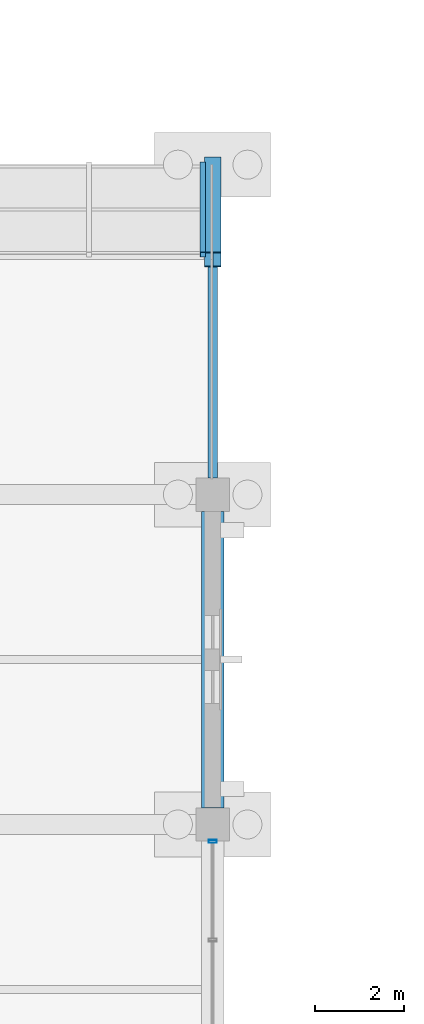
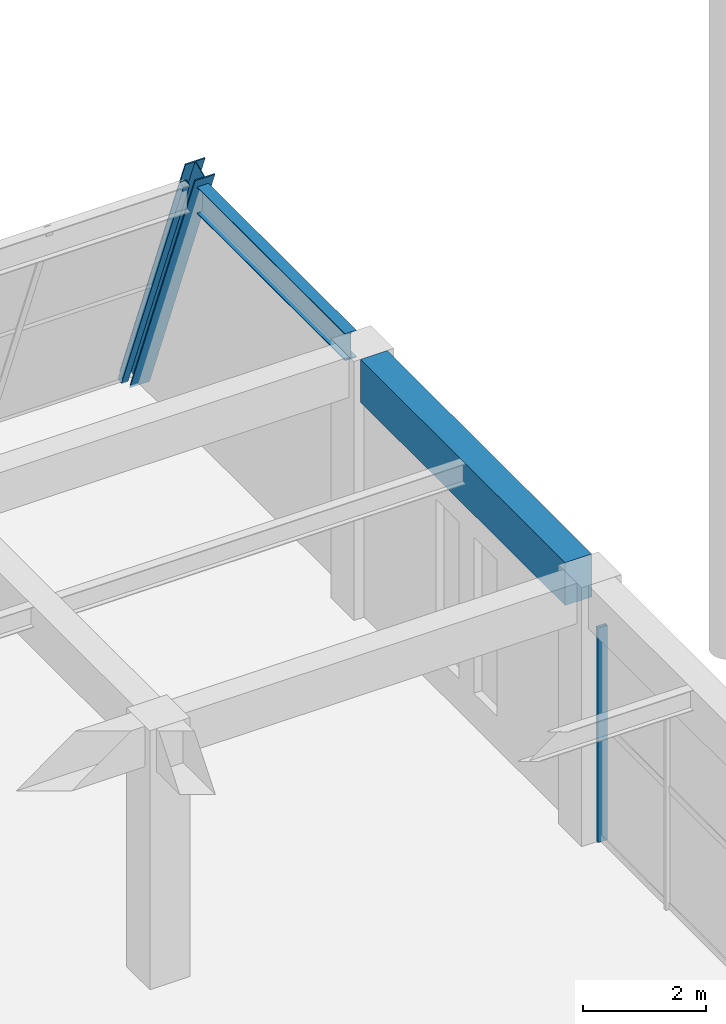
# One storey, part 58 of 140: 3 members, 2 beams, 2 elements without a shape of their own.
"""IFC4 building model written with IfcOpenShell, lengths in metres."""

from ifc_helpers import new_model, si_unit, direction, frame, origin, origin_2d, place, context, subcontext, project, spatial, rectangle, hollow_rectangle, i_section, extrude, material, material_profile, profile_set, type_object, element, aggregate, save


model = new_model("IFC4")

# Units and contexts
model_context = context("Model", 3, precision=1e-05, world=origin(), true_north=direction((0.0, 1.0)))
body_context = subcontext(model_context, "Body", "Model", "MODEL_VIEW")
ifc_project = project(units=[si_unit("LENGTHUNIT", "METRE"), si_unit("AREAUNIT", "SQUARE_METRE"), si_unit("VOLUMEUNIT", "CUBIC_METRE"), si_unit("PLANEANGLEUNIT", "RADIAN"), si_unit("MASSUNIT", "GRAM", prefix="KILO")], contexts=[model_context])

# Site, building, storey
site_placement = place(None, origin())
site = spatial("IfcSite", under=ifc_project, at=site_placement, CompositionType="ELEMENT")
building_placement = place(site_placement, origin())
building = spatial("IfcBuilding", under=site, at=building_placement, Name="Cimatlan Art Gallery", CompositionType="ELEMENT")
storey_placement = place(building_placement, origin())
storey = spatial("IfcBuildingStorey", under=building, at=storey_placement, Name="L00", CompositionType="ELEMENT", Elevation=0.0)

# Beams
ifc_material_1 = material(Name="Concrete C40/50", Category="concrete")
ifc_material_profile_1 = material_profile(ifc_material_1, rectangle(XDim=0.5, YDim=0.85009765625, at=origin_2d()), Name="RC500X850")
ifc_profile_set_1 = profile_set([ifc_material_profile_1], Name="Concrete C40/50")
beam_type_1 = type_object("IfcBeamType", Name="BM-RC-500X850", PredefinedType="BEAM", material=ifc_profile_set_1)
beam_1_placement = place(storey_placement, frame((18.199951171875, 83.47509765625, 4.7099609375), z_axis=(0.0, 1.0, 0.0), x_axis=(-1.0, 0.0, 0.0)))
element("IfcBeam", 1, at=beam_1_placement, inside=storey, type_object=beam_type_1, Name="BM-Y-L00-02-11", PredefinedType="BEAM", context=body_context, shape_type="SweptSolid", body=[
    extrude(rectangle(XDim=0.5, YDim=0.85009765625, at=origin_2d()), origin(), (0.0, 0.0, 1.0), 6.64990234375),
])
ifc_material_2 = material(Name="Steel ASTM A992 Grade 50", Category="steel")
ifc_material_profile_2 = material_profile(ifc_material_2, i_section(OverallWidth=0.2099609375, OverallDepth=0.532958984375, WebThickness=0.01025390625, FlangeThickness=0.015625, at=origin_2d()), Name="W21X62")
ifc_profile_set_2 = profile_set([ifc_material_profile_2], Name="Steel ASTM A992 Grade 50")
beam_type_2 = type_object("IfcBeamType", Name="BM-STL-W21X62", PredefinedType="BEAM", material=ifc_profile_set_2)
beam_2_placement = place(storey_placement, frame((18.199951171875, 90.875, 4.868408203125), z_axis=(0.0, 1.0, 0.0), x_axis=(-1.0, 0.0, 0.0)))
element("IfcBeam", 2, at=beam_2_placement, inside=storey, type_object=beam_type_2, Name="BM-PRW-Y-L00-B1-2", PredefinedType="BEAM", context=body_context, shape_type="SweptSolid", body=[
    extrude(i_section(OverallWidth=0.2099609375, OverallDepth=0.532958984375, WebThickness=0.01025390625, FlangeThickness=0.015625, at=origin_2d()), origin(), (0.0, 0.0, 1.0), 4.812255859375),
])

# Curtain wall, member
ifc_material_3 = material(Name="Anodised bronze unitised curtain wall")
curtain_wall_type_1 = type_object("IfcCurtainWallType", Name="CW-V-06642X04255-B3", PredefinedType="NOTDEFINED", material=ifc_material_3)
curtain_wall_1_placement = place(storey_placement, origin())
curtain_wall_1 = element("IfcCurtainWall", 3, at=curtain_wall_1_placement, inside=storey, type_object=curtain_wall_type_1, Name="CW-L00-01-10-E", PredefinedType="NOTDEFINED")
ifc_material_4 = material(Name="Anodised bronze aluminium 6063-T6", Category="aluminium")
ifc_material_profile_3 = material_profile(ifc_material_4, hollow_rectangle(XDim=0.06494140625, YDim=0.179931640625, WallThickness=0.00390625, at=origin_2d()), Name="ALU65X180X4")
ifc_profile_set_3 = profile_set([ifc_material_profile_3], Name="Anodised bronze aluminium 6063-T6")
member_type_1 = type_object("IfcMemberType", Name="CW-MUL-180", PredefinedType="MULLION", material=ifc_profile_set_3)
member_1_placement = place(storey_placement, frame((18.199951171875, 82.720947265625, 0.0), z_axis=(0.0, 0.0, 1.0), x_axis=(0.0, 1.0, 0.0)))
member_1 = element("IfcMember", 4, at=member_1_placement, type_object=member_type_1, Name="CW-L00-01-10-E-M1", PredefinedType="MULLION", context=body_context, shape_type="SweptSolid", body=[
    extrude(hollow_rectangle(XDim=0.06494140625, YDim=0.179931640625, WallThickness=0.00390625, at=origin_2d()), origin(), (0.0, 0.0, 1.0), 4.2548828125),
])
aggregate(curtain_wall_1, [member_1])

ifc_material_5 = material(Name="Raked steel-and-bronze lancet curtain wall", Category="steel")
curtain_wall_type_2 = type_object("IfcCurtainWallType", Name="CW-RAK-07660X05503-B3", PredefinedType="NOTDEFINED", material=ifc_material_5)
curtain_wall_2_placement = place(storey_placement, origin())
curtain_wall_2 = element("IfcCurtainWall", 5, at=curtain_wall_2_placement, inside=storey, type_object=curtain_wall_type_2, Name="CW-PROW-L00-B1-1", PredefinedType="NOTDEFINED")
ifc_material_6 = material(Name="Steel ASTM A500 Grade C", Category="steel")
ifc_material_profile_4 = material_profile(ifc_material_6, hollow_rectangle(XDim=0.1201171875, YDim=0.1201171875, WallThickness=0.00634765625, at=origin_2d()), Name="HSS120X120X6")
ifc_profile_set_4 = profile_set([ifc_material_profile_4], Name="Steel ASTM A500 Grade C")
member_type_2 = type_object("IfcMemberType", Name="CW-MUL-RAK", PredefinedType="MULLION", material=ifc_profile_set_4)
member_2_placement = place(storey_placement, frame((17.97998046875, 97.89990234375, 0.0), z_axis=(0.0, -0.366459344578, 0.930434064709), x_axis=(1.0, 0.0, 0.0)))
member_2 = element("IfcMember", 6, at=member_2_placement, type_object=member_type_2, Name="CW-PROW-L00-B1-1-M4", PredefinedType="MULLION", context=body_context, shape_type="SweptSolid", body=[
    extrude(hollow_rectangle(XDim=0.1201171875, YDim=0.1201171875, WallThickness=0.00634765625, at=origin_2d()), origin(), (0.0, 0.0, 1.0), 5.5029296875),
])
aggregate(curtain_wall_2, [member_2])

# Member
ifc_material_profile_5 = material_profile(ifc_material_2, i_section(OverallWidth=0.37109375, OverallDepth=0.364013671875, WebThickness=0.01318359375, FlangeThickness=0.021728515625, at=origin_2d()), Name="W14X109")
ifc_profile_set_5 = profile_set([ifc_material_profile_5], Name="Steel ASTM A992 Grade 50")
member_type_3 = type_object("IfcMemberType", Name="MBR-RAK-W14X109", PredefinedType="RAFTER", material=ifc_profile_set_5)
member_3_placement = place(storey_placement, frame((18.199951171875, 97.89990234375, 0.0), z_axis=(0.0, -0.366482585354, 0.930424910797), x_axis=(1.0, 0.0, 0.0)))
element("IfcMember", 7, at=member_3_placement, inside=storey, type_object=member_type_3, Name="MBR-RAK-L00-B1-02", PredefinedType="RAFTER", context=body_context, shape_type="SweptSolid", body=[
    extrude(i_section(OverallWidth=0.37109375, OverallDepth=0.364013671875, WebThickness=0.01318359375, FlangeThickness=0.021728515625, at=origin_2d()), origin(), (0.0, 0.0, 1.0), 5.8037109375),
])

save(model, "model.ifc")
